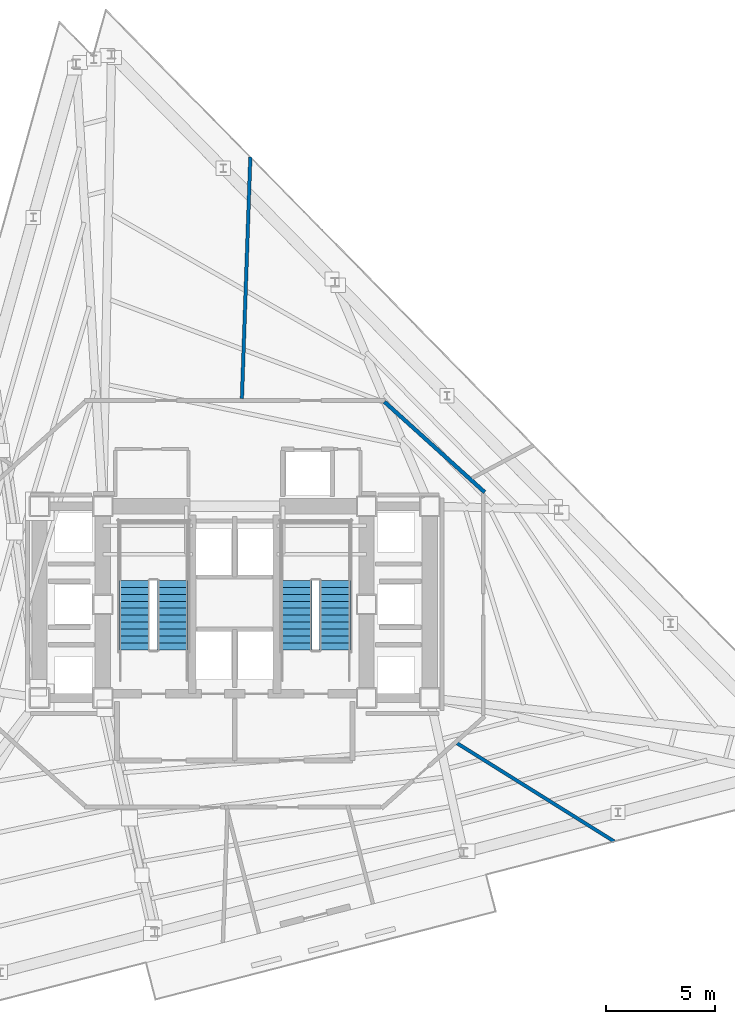
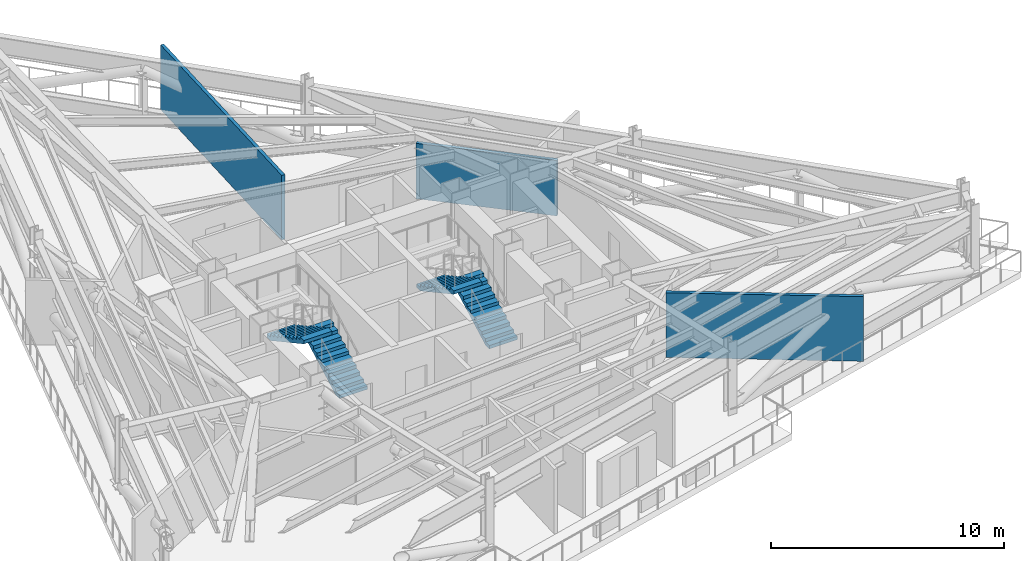
# One storey, part 8 of 11: 4 stair flights, 3 walls, 2 elements without a shape of their own.
"""IFC4 building model written with IfcOpenShell, lengths in metres."""

import ifcopenshell
import ifcopenshell.guid

model = None  # the IFC model being written
_history = None  # IfcOwnerHistory: only IFC2X3 demands one
_inside = {}  # id of a spatial element -> (the spatial element, [elements in it])
_under = {}  # id of a project, library or spatial element -> (it, [spatial elements below it])
_declared = {}  # id of a project -> (the project, [libraries it declares])
_typed = {}  # id of a type object -> (the type object, [elements of that type])
_made_of = {}  # id of a material, layer set ... -> (it, [elements and type objects made of it])


def new_model(schema):
    """Start an empty IFC model of exactly this schema.

    Asked for "IFC4X3", IfcOpenShell would pick the latest addendum, in which some entities
    have other attributes; the version numbers below select the first issue.
    IFC2X3 requires an IfcOwnerHistory on every rooted entity: one is made here for all.
    """
    global model, _history
    if schema == "IFC4X3":
        model = ifcopenshell.file(schema_version=(4, 3, 0, 0))
    else:
        model = ifcopenshell.file(schema=schema)
    _inside.clear()
    _under.clear()
    _declared.clear()
    _typed.clear()
    _made_of.clear()
    _history = None
    if model.schema == "IFC2X3":
        org = make("IfcOrganization", Name="unknown")
        user = make(
            "IfcPersonAndOrganization",
            ThePerson=make("IfcPerson", FamilyName="unknown"),
            TheOrganization=org,
        )
        app = make(
            "IfcApplication",
            ApplicationDeveloper=org,
            Version="unknown",
            ApplicationFullName="unknown",
            ApplicationIdentifier="unknown",
        )
        _history = make(
            "IfcOwnerHistory",
            OwningUser=user,
            OwningApplication=app,
            ChangeAction="ADDED",
            CreationDate=0,
        )
    return model


def make(cls, **values):
    """One entity of the class cls with the attributes given. An attribute that is None is left unset."""
    return model.create_entity(
        cls, **{name: value for name, value in values.items() if value is not None}
    )


def rooted(cls, **values):
    """An entity with a GlobalId (a new one), such as an element, a storey or a relation."""
    return make(cls, GlobalId=ifcopenshell.guid.new(), OwnerHistory=_history, **values)


def si_unit(unit_type, name, prefix=None):
    """IfcSIUnit, for example si_unit("LENGTHUNIT", "METRE", prefix="MILLI")."""
    return make("IfcSIUnit", UnitType=unit_type, Prefix=prefix, Name=name)


def assignment(units):
    """IfcUnitAssignment: the units of a project."""
    return None if units is None else make("IfcUnitAssignment", Units=units)


def point(xyz):
    """IfcCartesianPoint."""
    return None if xyz is None else make("IfcCartesianPoint", Coordinates=xyz)


def direction(xyz):
    """IfcDirection."""
    return None if xyz is None else make("IfcDirection", DirectionRatios=xyz)


def frame(location, z_axis=None, x_axis=None):
    """IfcAxis2Placement3D, a coordinate frame: its origin and axes. An axis left out is left unset."""
    return make(
        "IfcAxis2Placement3D",
        Location=point(location),
        Axis=direction(z_axis),
        RefDirection=direction(x_axis),
    )


def frame_2d(location, x_axis=None):
    """IfcAxis2Placement2D, a coordinate frame in the plane: its origin and x axis."""
    return make(
        "IfcAxis2Placement2D", Location=point(location), RefDirection=direction(x_axis)
    )


def origin():
    """The frame at (0, 0, 0) with its axes left unset."""
    return frame((0.0, 0.0, 0.0))


def place(relative_to, where):
    """IfcLocalPlacement: puts the frame where relative to a parent placement (None: the world)."""
    return make(
        "IfcLocalPlacement", PlacementRelTo=relative_to, RelativePlacement=where
    )


def context(
    kind, dimensions, precision=None, world=None, true_north=None, identifier=None
):
    """IfcGeometricRepresentationContext, for example the 3D "Model" context."""
    return make(
        "IfcGeometricRepresentationContext",
        ContextIdentifier=identifier,
        ContextType=kind,
        CoordinateSpaceDimension=dimensions,
        Precision=precision,
        WorldCoordinateSystem=world,
        TrueNorth=true_north,
    )


def subcontext(parent, identifier, kind, view, scale=None):
    """IfcGeometricRepresentationSubContext, for example "Body" below "Model"."""
    return make(
        "IfcGeometricRepresentationSubContext",
        ContextIdentifier=identifier,
        ContextType=kind,
        ParentContext=parent,
        TargetScale=scale,
        TargetView=view,
    )


def project(units=None, contexts=None):
    """IfcProject with its units and contexts."""
    return rooted(
        "IfcProject",
        Name="project",
        RepresentationContexts=contexts,
        UnitsInContext=assignment(units),
    )


def spatial(cls, under=None, at=None, **own):
    """A site, building, storey or space (cls), placed at a placement, below another one or the project."""
    s = rooted(cls, ObjectPlacement=at, **own)
    if under is not None:
        _under.setdefault(under.id(), (under, []))[1].append(s)
    return s


def polyline(points):
    """IfcPolyline through the points."""
    return make("IfcPolyline", Points=[point(p) for p in points])


def profile(cls, at=None, kind="AREA", **sizes):
    """A parametric profile (cls). Its sizes go by their IFC names, for example OverallWidth=200.0."""
    return make(cls, ProfileType=kind, Position=at, **sizes)


def rectangle(**sizes):
    """IfcRectangleProfileDef."""
    return profile("IfcRectangleProfileDef", **sizes)


def outline(outer, holes=None, kind="AREA"):
    """IfcArbitraryClosedProfileDef: a profile drawn as a closed curve; with holes, ...WithVoids."""
    if holes is None:
        return make("IfcArbitraryClosedProfileDef", ProfileType=kind, OuterCurve=outer)
    return make(
        "IfcArbitraryProfileDefWithVoids",
        ProfileType=kind,
        OuterCurve=outer,
        InnerCurves=holes,
    )


def extrude(swept, where, along, depth):
    """IfcExtrudedAreaSolid: the profile swept, set in the frame where, extruded along a direction by depth."""
    return make(
        "IfcExtrudedAreaSolid",
        SweptArea=swept,
        Position=where,
        ExtrudedDirection=direction(along),
        Depth=depth,
    )


def shape(context_of_items, identifier, shape_type, items):
    """IfcShapeRepresentation: the items that make up one representation, for example the "Body"."""
    return make(
        "IfcShapeRepresentation",
        ContextOfItems=context_of_items,
        RepresentationIdentifier=identifier,
        RepresentationType=shape_type,
        Items=items,
    )


def material(Name=None, Category=None):
    """IfcMaterial."""
    return make("IfcMaterial", Name=Name, Category=Category)


def layer(
    of_material, thickness, ventilated=None, Name=None, Category=None, Priority=None
):
    """IfcMaterialLayer: one layer of a wall or slab, of a material (None: an air gap)."""
    return make(
        "IfcMaterialLayer",
        Material=of_material,
        LayerThickness=thickness,
        IsVentilated=ventilated,
        Name=Name,
        Category=Category,
        Priority=Priority,
    )


def layer_set(layers, Name=None):
    """IfcMaterialLayerSet."""
    return make("IfcMaterialLayerSet", MaterialLayers=layers, LayerSetName=Name)


def made_of(thing, what):
    """Note that an element or type object is made of a material, layer set ...; save() writes the relation."""
    if what is not None:
        _made_of.setdefault(what.id(), (what, []))[1].append(thing)
    return thing


def type_object(cls, material=None, **own):
    """A type object (cls), such as IfcWallType, which elements share."""
    return made_of(rooted(cls, **own), material)


def element(
    cls,
    number,
    at=None,
    inside=None,
    cuts=None,
    type_object=None,
    material=None,
    context=None,
    identifier="Body",
    shape_type=None,
    held_by="IfcProductDefinitionShape",
    body=None,
    shapes=None,
    **own,
):
    """One element of the class cls, such as IfcWall. Its Tag is "e" and its number.

    at: its placement. inside: the storey or other place that contains it. cuts: it is an
    opening in that element (IfcRelVoidsElement). A single representation is given by context,
    identifier, shape_type and body (its items); several are given by shapes. held_by: the class
    of the entity that holds the representations. save() writes the other relations.
    """
    e = rooted(cls, Tag="e%d" % number, ObjectPlacement=at, **own)
    if body is not None:
        shapes = [shape(context, identifier, shape_type, body)]
    if shapes is not None:
        e.Representation = make(held_by, Representations=shapes)
    if inside is not None:
        _inside.setdefault(inside.id(), (inside, []))[1].append(e)
    if cuts is not None:
        rooted(
            "IfcRelVoidsElement", RelatingBuildingElement=cuts, RelatedOpeningElement=e
        )
    if type_object is not None:
        _typed.setdefault(type_object.id(), (type_object, []))[1].append(e)
    return made_of(e, material)


def aggregate(whole, parts):
    """IfcRelAggregates: a whole, such as a stair, and the parts it consists of."""
    return rooted("IfcRelAggregates", RelatingObject=whole, RelatedObjects=parts)


def save(model, path):
    """Write the relations noted so far, then the file.

    IfcRelAggregates (storeys below a building ...), IfcRelContainedInSpatialStructure (elements
    in a storey), IfcRelDefinesByType, IfcRelAssociatesMaterial and IfcRelDeclares: one each for
    every whole, place, type object, material and project.
    """
    for whole, parts in _under.values():
        aggregate(whole, parts)
    for where, things in _inside.values():
        rooted(
            "IfcRelContainedInSpatialStructure",
            RelatedElements=things,
            RelatingStructure=where,
        )
    for kind, things in _typed.values():
        rooted("IfcRelDefinesByType", RelatedObjects=things, RelatingType=kind)
    for what, things in _made_of.values():
        rooted("IfcRelAssociatesMaterial", RelatedObjects=things, RelatingMaterial=what)
    for by, libraries in _declared.values():
        rooted("IfcRelDeclares", RelatingContext=by, RelatedDefinitions=libraries)
    model.write(path)


model = new_model("IFC4")

# Units and contexts
model_context = context("Model", 3, precision=1e-05, world=origin(), true_north=direction((0.0, 1.0)))
body_context = subcontext(model_context, "Body", "Model", "MODEL_VIEW")
ifc_project = project(units=[si_unit("LENGTHUNIT", "METRE"), si_unit("AREAUNIT", "SQUARE_METRE"), si_unit("VOLUMEUNIT", "CUBIC_METRE"), si_unit("PLANEANGLEUNIT", "RADIAN"), si_unit("MASSUNIT", "GRAM", prefix="KILO")], contexts=[model_context])

# Site, building, storey
site_placement = place(None, origin())
site = spatial("IfcSite", under=ifc_project, at=site_placement, CompositionType="ELEMENT")
building_placement = place(site_placement, origin())
building = spatial("IfcBuilding", under=site, at=building_placement, Name="Rocaltana Carrier Exchange", CompositionType="ELEMENT")
storey_placement = place(building_placement, frame((0.0, 0.0, 100.800048828125)))
storey = spatial("IfcBuildingStorey", under=building, at=storey_placement, Name="L31", CompositionType="ELEMENT", Elevation=100.800048828125)

# Walls
ifc_material_1 = material(Name="Double Acoustic Gypsum Partition", Category="gypsum")
ifc_layer_1 = layer(ifc_material_1, 0.159912109375)
ifc_layer_set_1 = layer_set([ifc_layer_1], Name="Double Acoustic Gypsum Partition")
wall_type_1 = type_object("IfcWallType", Name="Acoustic Studio Partition 160 EI60", PredefinedType="PARTITIONING", material=ifc_layer_set_1)
wall_1_placement = place(storey_placement, frame((10.201904296875, -6.375, 0.0), z_axis=(0.0, 0.0, 1.0), x_axis=(0.848062908476, -0.529895558829, 0.0)))
element("IfcWall", 1, at=wall_1_placement, inside=storey, type_object=wall_type_1, Name="L31 Suite Divider Wall D3", PredefinedType="PARTITIONING", context=body_context, shape_type="SweptSolid", body=[
    extrude(rectangle(XDim=8.4912109375, YDim=0.159912109375, at=frame_2d((4.24560546875, 0.0))), origin(), (0.0, 0.0, 1.0), 3.39306640625),
])
wall_2_placement = place(storey_placement, frame((0.329345703125, 9.429931640625, 0.0), z_axis=(0.0, 0.0, 1.0), x_axis=(0.03490676433, 0.999390573201, 0.0)))
element("IfcWall", 2, at=wall_2_placement, inside=storey, type_object=wall_type_1, Name="L31 Suite Divider Wall D5", PredefinedType="PARTITIONING", context=body_context, shape_type="SweptSolid", body=[
    extrude(rectangle(XDim=11.085693359375, YDim=0.159912109375, at=frame_2d((5.54296875, 0.0))), origin(), (0.0, 0.0, 1.0), 3.39306640625),
])
ifc_material_2 = material(Name="Gypsum & Steel Stud Partition", Category="steel")
ifc_layer_2 = layer(ifc_material_2, 0.179931640625)
ifc_layer_set_2 = layer_set([ifc_layer_2], Name="Gypsum & Steel Stud Partition")
wall_type_2 = type_object("IfcWallType", Name="Corridor Fire Partition 180 EI60", PredefinedType="PARTITIONING", material=ifc_layer_set_2)
wall_3_placement = place(storey_placement, frame((6.86669921875, 9.289794921875, 0.0), z_axis=(0.0, 0.0, 1.0), x_axis=(0.742486327971, -0.669861219042, 0.0)))
element("IfcWall", 3, at=wall_3_placement, inside=storey, type_object=wall_type_2, Name="L31 Corridor Partition 2", PredefinedType="PARTITIONING", context=body_context, shape_type="SweptSolid", body=[
    extrude(rectangle(XDim=6.195556640625, YDim=0.179931640625, at=frame_2d((3.09765625, 0.0))), origin(), (0.0, 0.0, 1.0), 2.906982421875),
])

# Stair, stair flights
ifc_material_3 = material(Name="Precast concrete C45/55", Category="concrete")
stair_type = type_object("IfcStairType", Name="Standard Dog-Leg Stair 160", PredefinedType="HALF_TURN_STAIR", material=ifc_material_3)
stair_1_placement = place(storey_placement, origin())
stair_1 = element("IfcStair", 4, at=stair_1_placement, inside=storey, type_object=stair_type, Name="L31 Core West Exit Stair ST-1", PredefinedType="HALF_TURN_STAIR")
ifc_material_4 = material(Name="Precast concrete C45/55", Category="concrete")
stair_flight_type = type_object("IfcStairFlightType", Name="Precast Stair Flight 160", PredefinedType="STRAIGHT", material=ifc_material_4)
stair_flight_1_placement = place(storey_placement, frame((-2.840087890625, -2.10009765625, 0.0), z_axis=(0.0, 0.0, 1.0), x_axis=(0.0, 1.0, 0.0)))
stair_flight_1 = element("IfcStairFlight", 5, at=stair_flight_1_placement, type_object=stair_flight_type, Name="ST-1 flight 1", NumberOfRisers=11, NumberOfTreads=10, PredefinedType="STRAIGHT", RiserHeight=0.174545455, TreadLength=0.32, context=body_context, shape_type="SweptSolid", body=[
    extrude(outline(polyline([(0.0, 0.0), (0.0, 0.174560546875), (0.320068359375, 0.174560546875), (0.320068359375, 0.34912109375), (0.639892578125, 0.34912109375), (0.639892578125, 0.523681640625), (0.9599609375, 0.523681640625), (0.9599609375, 0.6982421875), (1.280029296875, 0.6982421875), (1.280029296875, 0.872802734375), (1.60009765625, 0.872802734375), (1.60009765625, 1.04736328125), (1.919921875, 1.04736328125), (1.919921875, 1.221923828125), (2.239990234375, 1.221923828125), (2.239990234375, 1.396484375), (2.56005859375, 1.396484375), (2.56005859375, 1.57080078125), (2.8798828125, 1.57080078125), (2.8798828125, 1.745361328125), (3.199951171875, 1.745361328125), (3.199951171875, 1.919921875), (3.199951171875, 1.563232421875), (0.333984375, 0.0), (0.0, 0.0)])), frame((0.0, 0.699951171875, 0.0), z_axis=(0.0, -1.0, 0.0), x_axis=(1.0, 0.0, 0.0)), (0.0, 0.0, 1.0), 1.39990234375),
])
stair_flight_2_placement = place(storey_placement, frame((-4.60009765625, 1.10009765625, 1.919921875), z_axis=(0.0, 0.0, 1.0), x_axis=(0.0, -1.0, 0.0)))
stair_flight_2 = element("IfcStairFlight", 6, at=stair_flight_2_placement, type_object=stair_flight_type, Name="ST-1 flight 2", NumberOfRisers=11, NumberOfTreads=10, PredefinedType="STRAIGHT", RiserHeight=0.174545455, TreadLength=0.32, context=body_context, shape_type="SweptSolid", body=[
    extrude(outline(polyline([(0.0, 0.0), (0.0, 0.174560546875), (0.320068359375, 0.174560546875), (0.320068359375, 0.34912109375), (0.639892578125, 0.34912109375), (0.639892578125, 0.523681640625), (0.9599609375, 0.523681640625), (0.9599609375, 0.6982421875), (1.280029296875, 0.6982421875), (1.280029296875, 0.872802734375), (1.60009765625, 0.872802734375), (1.60009765625, 1.04736328125), (1.919921875, 1.04736328125), (1.919921875, 1.221923828125), (2.239990234375, 1.221923828125), (2.239990234375, 1.396484375), (2.56005859375, 1.396484375), (2.56005859375, 1.57080078125), (2.8798828125, 1.57080078125), (2.8798828125, 1.745361328125), (3.199951171875, 1.745361328125), (3.199951171875, 1.919921875), (3.199951171875, 1.563232421875), (0.333984375, 0.0), (0.0, 0.0)])), frame((0.0, 0.699951171875, 0.0), z_axis=(0.0, -1.0, 0.0), x_axis=(1.0, 0.0, 0.0)), (0.0, 0.0, 1.0), 1.39990234375),
])
aggregate(stair_1, [stair_flight_1, stair_flight_2])

stair_2_placement = place(storey_placement, origin())
stair_2 = element("IfcStair", 7, at=stair_2_placement, inside=storey, type_object=stair_type, Name="L31 Core East Exit Stair ST-2", PredefinedType="HALF_TURN_STAIR")
stair_flight_3_placement = place(storey_placement, frame((4.60009765625, -2.10009765625, 0.0), z_axis=(0.0, 0.0, 1.0), x_axis=(0.0, 1.0, 0.0)))
stair_flight_3 = element("IfcStairFlight", 8, at=stair_flight_3_placement, type_object=stair_flight_type, Name="ST-2 flight 1", NumberOfRisers=11, NumberOfTreads=10, PredefinedType="STRAIGHT", RiserHeight=0.174545455, TreadLength=0.32, context=body_context, shape_type="SweptSolid", body=[
    extrude(outline(polyline([(0.0, 0.0), (0.0, 0.174560546875), (0.320068359375, 0.174560546875), (0.320068359375, 0.34912109375), (0.639892578125, 0.34912109375), (0.639892578125, 0.523681640625), (0.9599609375, 0.523681640625), (0.9599609375, 0.6982421875), (1.280029296875, 0.6982421875), (1.280029296875, 0.872802734375), (1.60009765625, 0.872802734375), (1.60009765625, 1.04736328125), (1.919921875, 1.04736328125), (1.919921875, 1.221923828125), (2.239990234375, 1.221923828125), (2.239990234375, 1.396484375), (2.56005859375, 1.396484375), (2.56005859375, 1.57080078125), (2.8798828125, 1.57080078125), (2.8798828125, 1.745361328125), (3.199951171875, 1.745361328125), (3.199951171875, 1.919921875), (3.199951171875, 1.563232421875), (0.333984375, 0.0), (0.0, 0.0)])), frame((0.0, 0.699951171875, 0.0), z_axis=(0.0, -1.0, 0.0), x_axis=(1.0, 0.0, 0.0)), (0.0, 0.0, 1.0), 1.39990234375),
])
stair_flight_4_placement = place(storey_placement, frame((2.840087890625, 1.10009765625, 1.919921875), z_axis=(0.0, 0.0, 1.0), x_axis=(0.0, -1.0, 0.0)))
stair_flight_4 = element("IfcStairFlight", 9, at=stair_flight_4_placement, type_object=stair_flight_type, Name="ST-2 flight 2", NumberOfRisers=11, NumberOfTreads=10, PredefinedType="STRAIGHT", RiserHeight=0.174545455, TreadLength=0.32, context=body_context, shape_type="SweptSolid", body=[
    extrude(outline(polyline([(0.0, 0.0), (0.0, 0.174560546875), (0.320068359375, 0.174560546875), (0.320068359375, 0.34912109375), (0.639892578125, 0.34912109375), (0.639892578125, 0.523681640625), (0.9599609375, 0.523681640625), (0.9599609375, 0.6982421875), (1.280029296875, 0.6982421875), (1.280029296875, 0.872802734375), (1.60009765625, 0.872802734375), (1.60009765625, 1.04736328125), (1.919921875, 1.04736328125), (1.919921875, 1.221923828125), (2.239990234375, 1.221923828125), (2.239990234375, 1.396484375), (2.56005859375, 1.396484375), (2.56005859375, 1.57080078125), (2.8798828125, 1.57080078125), (2.8798828125, 1.745361328125), (3.199951171875, 1.745361328125), (3.199951171875, 1.919921875), (3.199951171875, 1.563232421875), (0.333984375, 0.0), (0.0, 0.0)])), frame((0.0, 0.699951171875, 0.0), z_axis=(0.0, -1.0, 0.0), x_axis=(1.0, 0.0, 0.0)), (0.0, 0.0, 1.0), 1.39990234375),
])
aggregate(stair_2, [stair_flight_3, stair_flight_4])

save(model, "model.ifc")
